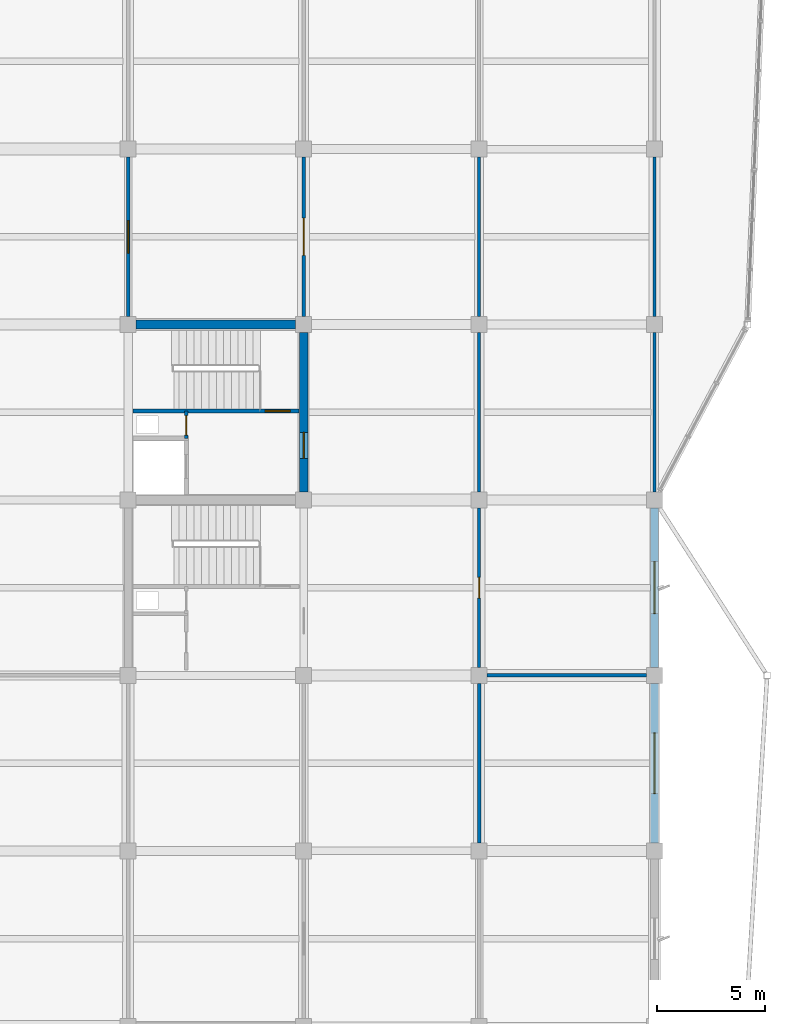
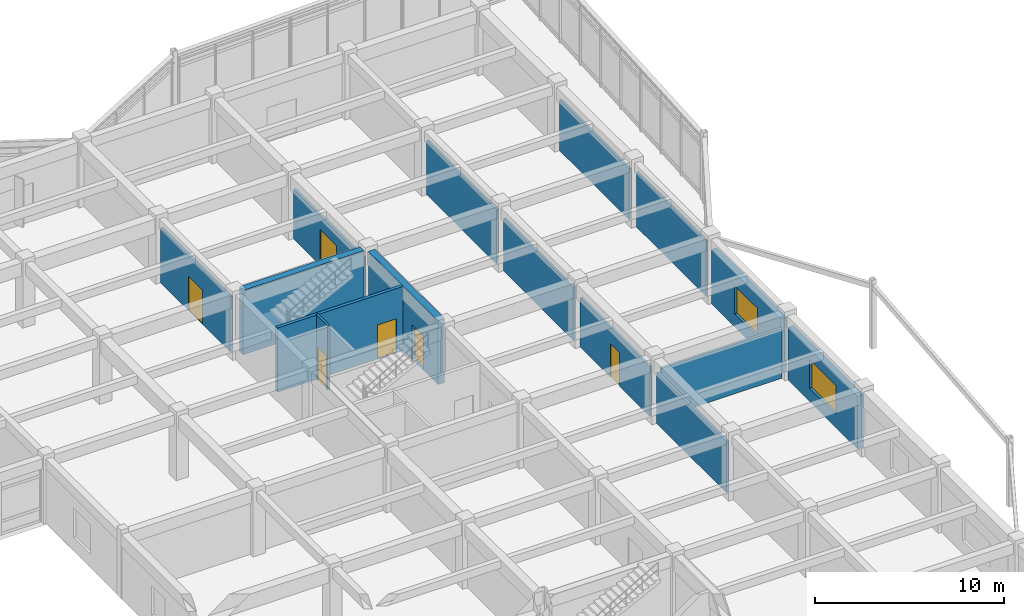
# One storey, part 72 of 89: 15 walls, 6 doors, 2 windows, 8 openings.
"""IFC4 building model written with IfcOpenShell, lengths in metres."""

import ifcopenshell
import ifcopenshell.guid

model = None  # the IFC model being written
_history = None  # IfcOwnerHistory: only IFC2X3 demands one
_inside = {}  # id of a spatial element -> (the spatial element, [elements in it])
_under = {}  # id of a project, library or spatial element -> (it, [spatial elements below it])
_declared = {}  # id of a project -> (the project, [libraries it declares])
_typed = {}  # id of a type object -> (the type object, [elements of that type])
_made_of = {}  # id of a material, layer set ... -> (it, [elements and type objects made of it])


def new_model(schema):
    """Start an empty IFC model of exactly this schema.

    Asked for "IFC4X3", IfcOpenShell would pick the latest addendum, in which some entities
    have other attributes; the version numbers below select the first issue.
    IFC2X3 requires an IfcOwnerHistory on every rooted entity: one is made here for all.
    """
    global model, _history
    if schema == "IFC4X3":
        model = ifcopenshell.file(schema_version=(4, 3, 0, 0))
    else:
        model = ifcopenshell.file(schema=schema)
    _inside.clear()
    _under.clear()
    _declared.clear()
    _typed.clear()
    _made_of.clear()
    _history = None
    if model.schema == "IFC2X3":
        org = make("IfcOrganization", Name="unknown")
        user = make(
            "IfcPersonAndOrganization",
            ThePerson=make("IfcPerson", FamilyName="unknown"),
            TheOrganization=org,
        )
        app = make(
            "IfcApplication",
            ApplicationDeveloper=org,
            Version="unknown",
            ApplicationFullName="unknown",
            ApplicationIdentifier="unknown",
        )
        _history = make(
            "IfcOwnerHistory",
            OwningUser=user,
            OwningApplication=app,
            ChangeAction="ADDED",
            CreationDate=0,
        )
    return model


def make(cls, **values):
    """One entity of the class cls with the attributes given. An attribute that is None is left unset."""
    return model.create_entity(
        cls, **{name: value for name, value in values.items() if value is not None}
    )


def rooted(cls, **values):
    """An entity with a GlobalId (a new one), such as an element, a storey or a relation."""
    return make(cls, GlobalId=ifcopenshell.guid.new(), OwnerHistory=_history, **values)


def si_unit(unit_type, name, prefix=None):
    """IfcSIUnit, for example si_unit("LENGTHUNIT", "METRE", prefix="MILLI")."""
    return make("IfcSIUnit", UnitType=unit_type, Prefix=prefix, Name=name)


def assignment(units):
    """IfcUnitAssignment: the units of a project."""
    return None if units is None else make("IfcUnitAssignment", Units=units)


def point(xyz):
    """IfcCartesianPoint."""
    return None if xyz is None else make("IfcCartesianPoint", Coordinates=xyz)


def direction(xyz):
    """IfcDirection."""
    return None if xyz is None else make("IfcDirection", DirectionRatios=xyz)


def frame(location, z_axis=None, x_axis=None):
    """IfcAxis2Placement3D, a coordinate frame: its origin and axes. An axis left out is left unset."""
    return make(
        "IfcAxis2Placement3D",
        Location=point(location),
        Axis=direction(z_axis),
        RefDirection=direction(x_axis),
    )


def frame_2d(location, x_axis=None):
    """IfcAxis2Placement2D, a coordinate frame in the plane: its origin and x axis."""
    return make(
        "IfcAxis2Placement2D", Location=point(location), RefDirection=direction(x_axis)
    )


def origin():
    """The frame at (0, 0, 0) with its axes left unset."""
    return frame((0.0, 0.0, 0.0))


def place(relative_to, where):
    """IfcLocalPlacement: puts the frame where relative to a parent placement (None: the world)."""
    return make(
        "IfcLocalPlacement", PlacementRelTo=relative_to, RelativePlacement=where
    )


def context(
    kind, dimensions, precision=None, world=None, true_north=None, identifier=None
):
    """IfcGeometricRepresentationContext, for example the 3D "Model" context."""
    return make(
        "IfcGeometricRepresentationContext",
        ContextIdentifier=identifier,
        ContextType=kind,
        CoordinateSpaceDimension=dimensions,
        Precision=precision,
        WorldCoordinateSystem=world,
        TrueNorth=true_north,
    )


def subcontext(parent, identifier, kind, view, scale=None):
    """IfcGeometricRepresentationSubContext, for example "Body" below "Model"."""
    return make(
        "IfcGeometricRepresentationSubContext",
        ContextIdentifier=identifier,
        ContextType=kind,
        ParentContext=parent,
        TargetScale=scale,
        TargetView=view,
    )


def project(units=None, contexts=None):
    """IfcProject with its units and contexts."""
    return rooted(
        "IfcProject",
        Name="project",
        RepresentationContexts=contexts,
        UnitsInContext=assignment(units),
    )


def spatial(cls, under=None, at=None, **own):
    """A site, building, storey or space (cls), placed at a placement, below another one or the project."""
    s = rooted(cls, ObjectPlacement=at, **own)
    if under is not None:
        _under.setdefault(under.id(), (under, []))[1].append(s)
    return s


def profile(cls, at=None, kind="AREA", **sizes):
    """A parametric profile (cls). Its sizes go by their IFC names, for example OverallWidth=200.0."""
    return make(cls, ProfileType=kind, Position=at, **sizes)


def rectangle(**sizes):
    """IfcRectangleProfileDef."""
    return profile("IfcRectangleProfileDef", **sizes)


def extrude(swept, where, along, depth):
    """IfcExtrudedAreaSolid: the profile swept, set in the frame where, extruded along a direction by depth."""
    return make(
        "IfcExtrudedAreaSolid",
        SweptArea=swept,
        Position=where,
        ExtrudedDirection=direction(along),
        Depth=depth,
    )


def shape(context_of_items, identifier, shape_type, items):
    """IfcShapeRepresentation: the items that make up one representation, for example the "Body"."""
    return make(
        "IfcShapeRepresentation",
        ContextOfItems=context_of_items,
        RepresentationIdentifier=identifier,
        RepresentationType=shape_type,
        Items=items,
    )


def material(Name=None, Category=None):
    """IfcMaterial."""
    return make("IfcMaterial", Name=Name, Category=Category)


def layer(
    of_material, thickness, ventilated=None, Name=None, Category=None, Priority=None
):
    """IfcMaterialLayer: one layer of a wall or slab, of a material (None: an air gap)."""
    return make(
        "IfcMaterialLayer",
        Material=of_material,
        LayerThickness=thickness,
        IsVentilated=ventilated,
        Name=Name,
        Category=Category,
        Priority=Priority,
    )


def layer_set(layers, Name=None):
    """IfcMaterialLayerSet."""
    return make("IfcMaterialLayerSet", MaterialLayers=layers, LayerSetName=Name)


def made_of(thing, what):
    """Note that an element or type object is made of a material, layer set ...; save() writes the relation."""
    if what is not None:
        _made_of.setdefault(what.id(), (what, []))[1].append(thing)
    return thing


def type_object(cls, material=None, **own):
    """A type object (cls), such as IfcWallType, which elements share."""
    return made_of(rooted(cls, **own), material)


def element(
    cls,
    number,
    at=None,
    inside=None,
    cuts=None,
    type_object=None,
    material=None,
    context=None,
    identifier="Body",
    shape_type=None,
    held_by="IfcProductDefinitionShape",
    body=None,
    shapes=None,
    **own,
):
    """One element of the class cls, such as IfcWall. Its Tag is "e" and its number.

    at: its placement. inside: the storey or other place that contains it. cuts: it is an
    opening in that element (IfcRelVoidsElement). A single representation is given by context,
    identifier, shape_type and body (its items); several are given by shapes. held_by: the class
    of the entity that holds the representations. save() writes the other relations.
    """
    e = rooted(cls, Tag="e%d" % number, ObjectPlacement=at, **own)
    if body is not None:
        shapes = [shape(context, identifier, shape_type, body)]
    if shapes is not None:
        e.Representation = make(held_by, Representations=shapes)
    if inside is not None:
        _inside.setdefault(inside.id(), (inside, []))[1].append(e)
    if cuts is not None:
        rooted(
            "IfcRelVoidsElement", RelatingBuildingElement=cuts, RelatedOpeningElement=e
        )
    if type_object is not None:
        _typed.setdefault(type_object.id(), (type_object, []))[1].append(e)
    return made_of(e, material)


def fill(opening, filler):
    """IfcRelFillsElement: the door or window that sits in an opening."""
    return rooted(
        "IfcRelFillsElement",
        RelatingOpeningElement=opening,
        RelatedBuildingElement=filler,
    )


def aggregate(whole, parts):
    """IfcRelAggregates: a whole, such as a stair, and the parts it consists of."""
    return rooted("IfcRelAggregates", RelatingObject=whole, RelatedObjects=parts)


def save(model, path):
    """Write the relations noted so far, then the file.

    IfcRelAggregates (storeys below a building ...), IfcRelContainedInSpatialStructure (elements
    in a storey), IfcRelDefinesByType, IfcRelAssociatesMaterial and IfcRelDeclares: one each for
    every whole, place, type object, material and project.
    """
    for whole, parts in _under.values():
        aggregate(whole, parts)
    for where, things in _inside.values():
        rooted(
            "IfcRelContainedInSpatialStructure",
            RelatedElements=things,
            RelatingStructure=where,
        )
    for kind, things in _typed.values():
        rooted("IfcRelDefinesByType", RelatedObjects=things, RelatingType=kind)
    for what, things in _made_of.values():
        rooted("IfcRelAssociatesMaterial", RelatedObjects=things, RelatingMaterial=what)
    for by, libraries in _declared.values():
        rooted("IfcRelDeclares", RelatingContext=by, RelatedDefinitions=libraries)
    model.write(path)


model = new_model("IFC4")

# Units and contexts
model_context = context("Model", 3, precision=1e-05, world=origin(), true_north=direction((0.0, 1.0)))
body_context = subcontext(model_context, "Body", "Model", "MODEL_VIEW")
ifc_project = project(units=[si_unit("LENGTHUNIT", "METRE"), si_unit("AREAUNIT", "SQUARE_METRE"), si_unit("VOLUMEUNIT", "CUBIC_METRE"), si_unit("PLANEANGLEUNIT", "RADIAN"), si_unit("MASSUNIT", "GRAM", prefix="KILO")], contexts=[model_context])

# Site, building, storey
site_placement = place(None, origin())
site = spatial("IfcSite", under=ifc_project, at=site_placement, CompositionType="ELEMENT")
building_placement = place(site_placement, origin())
building = spatial("IfcBuilding", under=site, at=building_placement, Name="Vaudrelin Polytechnic", CompositionType="ELEMENT")
storey_placement = place(building_placement, frame((0.0, 0.0, 9.68994140625)))
storey = spatial("IfcBuildingStorey", under=building, at=storey_placement, Name="L02", CompositionType="ELEMENT", Elevation=9.68994140625)

# Wall, opening, window
ifc_material_1 = material(Name="Precast concrete 35 MPa with terracotta baguette screen", Category="masonry")
ifc_layer_1 = layer(ifc_material_1, 0.35009765625)
ifc_layer_set_1 = layer_set([ifc_layer_1], Name="Precast concrete 35 MPa with terracotta baguette screen")
wall_type_1 = type_object("IfcWallType", Name="WAL-EW-TERR350", PredefinedType="STANDARD", material=ifc_layer_set_1)
wall_1_placement = place(storey_placement, frame((170.10009765625, 81.373046875, 0.0), z_axis=(0.0, 0.0, 1.0), x_axis=(0.0, 1.0, 0.0)))
wall_1 = element("IfcWall", 1, at=wall_1_placement, inside=storey, type_object=wall_type_1, Name="Exterior wall L02 E_V4_08", PredefinedType="STANDARD", context=body_context, shape_type="SweptSolid", body=[
    extrude(rectangle(XDim=7.35400390625, YDim=0.35009765625, at=frame_2d((3.677001953125, 0.0))), origin(), (0.0, 0.0, 1.0), 3.39208984375),
])
opening_1_placement = place(wall_1_placement, frame((2.277099609375, 0.0, 0.85009765625)))
opening_1 = element("IfcOpeningElement", 2, at=opening_1_placement, cuts=wall_1, Name="Opening W-L02-E-V4-09", PredefinedType="OPENING", context=body_context, shape_type="SweptSolid", body=[
    extrude(rectangle(XDim=2.800048828125, YDim=1.85009765625, at=frame_2d((1.39990234375, 0.925048828125))), frame((0.0, 0.18505859375, 0.0), z_axis=(0.0, -1.0, 0.0), x_axis=(1.0, 0.0, 0.0)), (0.0, 0.0, 1.0), 0.3701171875),
])
ifc_material_2 = material(Name="Thermally broken aluminium frame with triple low-e glazing", Category="aluminium")
window_type_1 = type_object("IfcWindowType", Name="WIN-WN-48", PartitioningType="SINGLE_PANEL", PredefinedType="WINDOW", material=ifc_material_2)
window_1_placement = place(opening_1_placement, origin())
window_1 = element("IfcWindow", 3, at=window_1_placement, inside=storey, type_object=window_type_1, Name="Facade window L02-E_V4_08", OverallHeight=1.85009765625, OverallWidth=2.800048828125, PartitioningType="SINGLE_PANEL", PredefinedType="WINDOW", context=body_context, shape_type="SweptSolid", body=[
    extrude(rectangle(XDim=2.800048828125, YDim=1.85009765625, at=frame_2d((1.39990234375, 0.925048828125))), frame((0.0, 0.030029296875, 0.0), z_axis=(0.0, -1.0, 0.0), x_axis=(1.0, 0.0, 0.0)), (0.0, 0.0, 1.0), 0.06005859375),
])
fill(opening_1, window_1)

wall_2_placement = place(storey_placement, frame((170.10009765625, 89.472900390625, 0.0), z_axis=(0.0, 0.0, 1.0), x_axis=(0.0, 1.0, 0.0)))
wall_2 = element("IfcWall", 4, at=wall_2_placement, inside=storey, type_object=wall_type_1, Name="Exterior wall L02 E_V4_09", PredefinedType="STANDARD", context=body_context, shape_type="SweptSolid", body=[
    extrude(rectangle(XDim=7.35400390625, YDim=0.35009765625, at=frame_2d((3.677001953125, 0.0))), origin(), (0.0, 0.0, 1.0), 3.491943359375),
])
opening_2_placement = place(wall_2_placement, frame((2.47705078125, 0.0, 0.85009765625)))
opening_2 = element("IfcOpeningElement", 5, at=opening_2_placement, cuts=wall_2, Name="Opening W-L02-E-V4-10", PredefinedType="OPENING", context=body_context, shape_type="SweptSolid", body=[
    extrude(rectangle(XDim=2.39990234375, YDim=1.800048828125, at=frame_2d((1.199951171875, 0.89990234375))), frame((0.0, 0.18505859375, 0.0), z_axis=(0.0, -1.0, 0.0), x_axis=(1.0, 0.0, 0.0)), (0.0, 0.0, 1.0), 0.3701171875),
])
window_type_2 = type_object("IfcWindowType", Name="WIN-WN-01", PartitioningType="SINGLE_PANEL", PredefinedType="WINDOW", material=ifc_material_2)
window_2_placement = place(opening_2_placement, origin())
window_2 = element("IfcWindow", 6, at=window_2_placement, inside=storey, type_object=window_type_2, Name="Facade window L02-E_V4_09", OverallHeight=1.800048828125, OverallWidth=2.39990234375, PartitioningType="SINGLE_PANEL", PredefinedType="WINDOW", context=body_context, shape_type="SweptSolid", body=[
    extrude(rectangle(XDim=2.39990234375, YDim=1.800048828125, at=frame_2d((1.199951171875, 0.89990234375))), frame((0.0, 0.030029296875, 0.0), z_axis=(0.0, -1.0, 0.0), x_axis=(1.0, 0.0, 0.0)), (0.0, 0.0, 1.0), 0.06005859375),
])
fill(opening_2, window_2)

# Wall, opening, door
ifc_material_3 = material(Name="Fire-rated steel-stud gypsum compartment wall", Category="steel")
ifc_layer_2 = layer(ifc_material_3, 0.14990234375)
ifc_layer_set_2 = layer_set([ifc_layer_2], Name="Fire-rated steel-stud gypsum compartment wall")
wall_type_2 = type_object("IfcWallType", Name="WAL-PW-FIRE60", PredefinedType="PARTITIONING", material=ifc_layer_set_2)
wall_3_placement = place(storey_placement, frame((148.47998046875, 100.050048828125, 0.0), z_axis=(0.0, 0.0, 1.0), x_axis=(0.0, 1.0, 0.0)))
wall_3 = element("IfcWall", 7, at=wall_3_placement, inside=storey, type_object=wall_type_2, Name="Core C6 riser enclosure wall L02", PredefinedType="PARTITIONING", context=body_context, shape_type="SweptSolid", body=[
    extrude(rectangle(XDim=1.260009765625, YDim=0.14990234375, at=frame_2d((0.6298828125, 0.0))), origin(), (0.0, 0.0, 1.0), 4.14208984375),
])
opening_3_placement = place(wall_3_placement, frame((0.139892578125, 0.0, 0.0)))
opening_3 = element("IfcOpeningElement", 8, at=opening_3_placement, cuts=wall_3, Name="Opening D-L02-095", PredefinedType="OPENING", context=body_context, shape_type="SweptSolid", body=[
    extrude(rectangle(XDim=0.89990234375, YDim=2.14990234375, at=frame_2d((0.449951171875, 1.074951171875))), frame((0.0, 0.0849609375, 0.0), z_axis=(0.0, -1.0, 0.0), x_axis=(1.0, 0.0, 0.0)), (0.0, 0.0, 1.0), 0.169921875),
])
ifc_material_4 = material(Name="Pressed galvanised steel acoustic leaf", Category="steel")
door_type_1 = type_object("IfcDoorType", Name="DOR-ID-RSR1", OperationType="NOTDEFINED", PredefinedType="DOOR", material=ifc_material_4)
door_1_placement = place(opening_3_placement, origin())
door_1 = element("IfcDoor", 9, at=door_1_placement, inside=storey, type_object=door_type_1, Name="Core C6 riser access door L02", OperationType="SINGLE_SWING_RIGHT", OverallHeight=2.14990234375, OverallWidth=0.89990234375, PredefinedType="DOOR", context=body_context, shape_type="SweptSolid", body=[
    extrude(rectangle(XDim=0.89990234375, YDim=2.14990234375, at=frame_2d((0.449951171875, 1.074951171875))), frame((0.0, 0.02490234375, 0.0), z_axis=(0.0, -1.0, 0.0), x_axis=(1.0, 0.0, 0.0)), (0.0, 0.0, 1.0), 0.050048828125),
])
fill(opening_3, door_1)

ifc_material_5 = material(Name="Moisture- and chemical-resistant laboratory partition", Category="gypsum")
ifc_layer_3 = layer(ifc_material_5, 0.159912109375)
ifc_layer_set_3 = layer_set([ifc_layer_3], Name="Moisture- and chemical-resistant laboratory partition")
wall_type_3 = type_object("IfcWallType", Name="WAL-PW-LAB160", PredefinedType="PARTITIONING", material=ifc_layer_set_3)
wall_4_placement = place(storey_placement, frame((145.800048828125, 105.673095703125, 0.0), z_axis=(0.0, 0.0, 1.0), x_axis=(0.0, 1.0, 0.0)))
wall_4 = element("IfcWall", 10, at=wall_4_placement, inside=storey, type_object=wall_type_3, Name="Partition L02-018 E", PredefinedType="PARTITIONING", context=body_context, shape_type="SweptSolid", body=[
    extrude(rectangle(XDim=7.35400390625, YDim=0.159912109375, at=frame_2d((3.677001953125, 0.0))), origin(), (0.0, 0.0, 1.0), 3.5419921875),
])
opening_4_placement = place(wall_4_placement, frame((2.927001953125, 0.0, 0.0)))
opening_4 = element("IfcOpeningElement", 11, at=opening_4_placement, cuts=wall_4, Name="Opening D-L02-484", PredefinedType="OPENING", context=body_context, shape_type="SweptSolid", body=[
    extrude(rectangle(XDim=1.5, YDim=2.199951171875, at=frame_2d((0.75, 1.10009765625))), frame((0.0, 0.08984375, 0.0), z_axis=(0.0, -1.0, 0.0), x_axis=(1.0, 0.0, 0.0)), (0.0, 0.0, 1.0), 0.179931640625),
])
door_type_2 = type_object("IfcDoorType", Name="DOR-ID-LAB1", OperationType="NOTDEFINED", PredefinedType="DOOR", material=ifc_material_4)
door_2_placement = place(opening_4_placement, origin())
door_2 = element("IfcDoor", 12, at=door_2_placement, inside=storey, type_object=door_type_2, Name="Electrochemistry Teaching Laboratory door L02-018", OperationType="DOUBLE_SWING_LEFT", OverallHeight=2.199951171875, OverallWidth=1.5, PredefinedType="DOOR", context=body_context, shape_type="SweptSolid", body=[
    extrude(rectangle(XDim=1.5, YDim=2.199951171875, at=frame_2d((0.75, 1.10009765625))), frame((0.0, 0.02490234375, 0.0), z_axis=(0.0, -1.0, 0.0), x_axis=(1.0, 0.0, 0.0)), (0.0, 0.0, 1.0), 0.050048828125),
])
fill(opening_4, door_2)

wall_5_placement = place(storey_placement, frame((153.89990234375, 105.673095703125, 0.0), z_axis=(0.0, 0.0, 1.0), x_axis=(0.0, 1.0, 0.0)))
wall_5 = element("IfcWall", 13, at=wall_5_placement, inside=storey, type_object=wall_type_3, Name="Partition L02-019 E", PredefinedType="PARTITIONING", context=body_context, shape_type="SweptSolid", body=[
    extrude(rectangle(XDim=7.35400390625, YDim=0.159912109375, at=frame_2d((3.677001953125, 0.0))), origin(), (0.0, 0.0, 1.0), 3.192138671875),
])
opening_5_placement = place(wall_5_placement, frame((2.81689453125, 0.0, 0.0)))
opening_5 = element("IfcOpeningElement", 14, at=opening_5_placement, cuts=wall_5, Name="Opening D-L02-485", PredefinedType="OPENING", context=body_context, shape_type="SweptSolid", body=[
    extrude(rectangle(XDim=1.719970703125, YDim=2.300048828125, at=frame_2d((0.85986328125, 1.14990234375))), frame((0.0, 0.08984375, 0.0), z_axis=(0.0, -1.0, 0.0), x_axis=(1.0, 0.0, 0.0)), (0.0, 0.0, 1.0), 0.179931640625),
])
door_type_3 = type_object("IfcDoorType", Name="DOR-ID-LAB5", OperationType="NOTDEFINED", PredefinedType="DOOR", material=ifc_material_4)
door_3_placement = place(opening_5_placement, origin())
door_3 = element("IfcDoor", 15, at=door_3_placement, inside=storey, type_object=door_type_3, Name="Battery Cell Cycling Laboratory door L02-019", OperationType="DOUBLE_SWING_LEFT", OverallHeight=2.300048828125, OverallWidth=1.719970703125, PredefinedType="DOOR", context=body_context, shape_type="SweptSolid", body=[
    extrude(rectangle(XDim=1.719970703125, YDim=2.300048828125, at=frame_2d((0.85986328125, 1.14990234375))), frame((0.0, 0.02490234375, 0.0), z_axis=(0.0, -1.0, 0.0), x_axis=(1.0, 0.0, 0.0)), (0.0, 0.0, 1.0), 0.050048828125),
])
fill(opening_5, door_3)

# Walls
wall_6_placement = place(storey_placement, frame((162.0, 81.373046875, 0.0), z_axis=(0.0, 0.0, 1.0), x_axis=(0.0, 1.0, 0.0)))
element("IfcWall", 16, at=wall_6_placement, inside=storey, type_object=wall_type_3, Name="Partition L02-022 W", PredefinedType="PARTITIONING", context=body_context, shape_type="SweptSolid", body=[
    extrude(rectangle(XDim=7.35400390625, YDim=0.159912109375, at=frame_2d((3.677001953125, 0.0))), origin(), (0.0, 0.0, 1.0), 3.2919921875),
])
wall_7_placement = place(storey_placement, frame((162.373046875, 89.10009765625, 0.0), z_axis=(0.0, 0.0, 1.0), x_axis=(1.0, 0.0, 0.0)))
element("IfcWall", 17, at=wall_7_placement, inside=storey, type_object=wall_type_3, Name="Partition L02-022 N", PredefinedType="PARTITIONING", context=body_context, shape_type="SweptSolid", body=[
    extrude(rectangle(XDim=7.35400390625, YDim=0.159912109375, at=frame_2d((3.677001953125, 0.0))), origin(), (0.0, 0.0, 1.0), 3.192138671875),
])

# Wall, opening, door
ifc_material_6 = material(Name="Acoustic steel-stud office & study room partition", Category="steel")
ifc_layer_4 = layer(ifc_material_6, 0.135009765625)
ifc_layer_set_4 = layer_set([ifc_layer_4], Name="Acoustic steel-stud office & study room partition")
wall_type_4 = type_object("IfcWallType", Name="WAL-PW-OFF135", PredefinedType="PARTITIONING", material=ifc_layer_set_4)
wall_8_placement = place(storey_placement, frame((162.0, 89.472900390625, 0.0), z_axis=(0.0, 0.0, 1.0), x_axis=(0.0, 1.0, 0.0)))
wall_8 = element("IfcWall", 18, at=wall_8_placement, inside=storey, type_object=wall_type_4, Name="Partition L02-023 W", PredefinedType="PARTITIONING", context=body_context, shape_type="SweptSolid", body=[
    extrude(rectangle(XDim=7.35400390625, YDim=0.135009765625, at=frame_2d((3.677001953125, 0.0))), origin(), (0.0, 0.0, 1.0), 3.192138671875),
])
opening_6_placement = place(wall_8_placement, frame((3.197021484375, 0.0, 0.0)))
opening_6 = element("IfcOpeningElement", 19, at=opening_6_placement, cuts=wall_8, Name="Opening D-L02-488", PredefinedType="OPENING", context=body_context, shape_type="SweptSolid", body=[
    extrude(rectangle(XDim=0.9599609375, YDim=2.14990234375, at=frame_2d((0.47998046875, 1.074951171875))), frame((0.0, 0.07763671875, 0.0), z_axis=(0.0, -1.0, 0.0), x_axis=(1.0, 0.0, 0.0)), (0.0, 0.0, 1.0), 0.155029296875),
])
ifc_material_7 = material(Name="Solid-core birch veneer acoustic leaf", Category="wood")
door_type_4 = type_object("IfcDoorType", Name="DOR-ID-OFF2", OperationType="NOTDEFINED", PredefinedType="DOOR", material=ifc_material_7)
door_4_placement = place(opening_6_placement, origin())
door_4 = element("IfcDoor", 20, at=door_4_placement, inside=storey, type_object=door_type_4, Name="Academic Faculty Offices Level 2 door L02-023", OperationType="SINGLE_SWING_RIGHT", OverallHeight=2.14990234375, OverallWidth=0.9599609375, PredefinedType="DOOR", context=body_context, shape_type="SweptSolid", body=[
    extrude(rectangle(XDim=0.9599609375, YDim=2.14990234375, at=frame_2d((0.47998046875, 1.074951171875))), frame((0.0, 0.02490234375, 0.0), z_axis=(0.0, -1.0, 0.0), x_axis=(1.0, 0.0, 0.0)), (0.0, 0.0, 1.0), 0.050048828125),
])
fill(opening_6, door_4)

# Walls
wall_9_placement = place(storey_placement, frame((162.0, 97.572998046875, 0.0), z_axis=(0.0, 0.0, 1.0), x_axis=(0.0, 1.0, 0.0)))
element("IfcWall", 21, at=wall_9_placement, inside=storey, type_object=wall_type_4, Name="Partition L02-023 W", PredefinedType="PARTITIONING", context=body_context, shape_type="SweptSolid", body=[
    extrude(rectangle(XDim=7.35400390625, YDim=0.135009765625, at=frame_2d((3.677001953125, 0.0))), origin(), (0.0, 0.0, 1.0), 3.39208984375),
])
wall_10_placement = place(storey_placement, frame((162.0, 105.673095703125, 0.0), z_axis=(0.0, 0.0, 1.0), x_axis=(0.0, 1.0, 0.0)))
element("IfcWall", 22, at=wall_10_placement, inside=storey, type_object=wall_type_4, Name="Partition L02-023 W", PredefinedType="PARTITIONING", context=body_context, shape_type="SweptSolid", body=[
    extrude(rectangle(XDim=7.35400390625, YDim=0.135009765625, at=frame_2d((3.677001953125, 0.0))), origin(), (0.0, 0.0, 1.0), 3.491943359375),
])
wall_11_placement = place(storey_placement, frame((170.10009765625, 97.572998046875, 0.0), z_axis=(0.0, 0.0, 1.0), x_axis=(0.0, 1.0, 0.0)))
element("IfcWall", 23, at=wall_11_placement, inside=storey, type_object=wall_type_4, Name="Partition L02-023 E", PredefinedType="PARTITIONING", context=body_context, shape_type="SweptSolid", body=[
    extrude(rectangle(XDim=7.35400390625, YDim=0.135009765625, at=frame_2d((3.677001953125, 0.0))), origin(), (0.0, 0.0, 1.0), 3.5419921875),
])
wall_12_placement = place(storey_placement, frame((170.10009765625, 105.673095703125, 0.0), z_axis=(0.0, 0.0, 1.0), x_axis=(0.0, 1.0, 0.0)))
element("IfcWall", 24, at=wall_12_placement, inside=storey, type_object=wall_type_4, Name="Partition L02-023 E", PredefinedType="PARTITIONING", context=body_context, shape_type="SweptSolid", body=[
    extrude(rectangle(XDim=7.35400390625, YDim=0.135009765625, at=frame_2d((3.677001953125, 0.0))), origin(), (0.0, 0.0, 1.0), 3.2919921875),
])

# Wall, opening, door
ifc_material_8 = material(Name="Concrete 40 MPa", Category="concrete")
ifc_layer_5 = layer(ifc_material_8, 0.199951171875)
ifc_layer_set_5 = layer_set([ifc_layer_5], Name="Concrete 40 MPa")
wall_type_5 = type_object("IfcWallType", Name="WAL-SW-CORE200", PredefinedType="SHEAR", material=ifc_layer_set_5)
wall_13_placement = place(storey_placement, frame((146.02001953125, 101.31005859375, 0.0), z_axis=(0.0, 0.0, 1.0), x_axis=(1.0, 0.0, 0.0)))
wall_13 = element("IfcWall", 25, at=wall_13_placement, inside=storey, type_object=wall_type_5, Name="Core C6 stair enclosure wall L02", PredefinedType="SHEAR", context=body_context, shape_type="SweptSolid", body=[
    extrude(rectangle(XDim=7.659912109375, YDim=0.199951171875, at=frame_2d((3.830078125, 0.0))), origin(), (0.0, 0.0, 1.0), 4.14208984375),
])
opening_7_placement = place(wall_13_placement, frame((6.110107421875, 0.0, 0.0)))
opening_7 = element("IfcOpeningElement", 26, at=opening_7_placement, cuts=wall_13, Name="Opening D-L02-094", PredefinedType="OPENING", context=body_context, shape_type="SweptSolid", body=[
    extrude(rectangle(XDim=1.14990234375, YDim=2.199951171875, at=frame_2d((0.574951171875, 1.10009765625))), frame((0.0, 0.10986328125, 0.0), z_axis=(0.0, -1.0, 0.0), x_axis=(1.0, 0.0, 0.0)), (0.0, 0.0, 1.0), 0.219970703125),
])
door_type_5 = type_object("IfcDoorType", Name="DOR-ID-ST1", OperationType="NOTDEFINED", PredefinedType="DOOR", material=ifc_material_4)
door_5_placement = place(opening_7_placement, origin())
door_5 = element("IfcDoor", 27, at=door_5_placement, inside=storey, type_object=door_type_5, Name="Core C6 exit stair door L02", OperationType="SINGLE_SWING_LEFT", OverallHeight=2.199951171875, OverallWidth=1.14990234375, PredefinedType="DOOR", context=body_context, shape_type="SweptSolid", body=[
    extrude(rectangle(XDim=1.14990234375, YDim=2.199951171875, at=frame_2d((0.574951171875, 1.10009765625))), frame((0.0, 0.02490234375, 0.0), z_axis=(0.0, -1.0, 0.0), x_axis=(1.0, 0.0, 0.0)), (0.0, 0.0, 1.0), 0.050048828125),
])
fill(opening_7, door_5)

# Wall
ifc_material_9 = material(Name="Concrete 50 MPa", Category="concrete")
ifc_layer_6 = layer(ifc_material_9, 0.39990234375)
ifc_layer_set_6 = layer_set([ifc_layer_6], Name="Concrete 50 MPa")
wall_type_6 = type_object("IfcWallType", Name="WAL-SW-CORE400", PredefinedType="SHEAR", material=ifc_layer_set_6)
wall_14_placement = place(storey_placement, frame((146.173095703125, 105.300048828125, 0.0), z_axis=(0.0, 0.0, 1.0), x_axis=(1.0, 0.0, 0.0)))
element("IfcWall", 28, at=wall_14_placement, inside=storey, type_object=wall_type_6, Name="Core C6 N shear wall L02", PredefinedType="SHEAR", context=body_context, shape_type="SweptSolid", body=[
    extrude(rectangle(XDim=7.35400390625, YDim=0.39990234375, at=frame_2d((3.677001953125, 0.0))), origin(), (0.0, 0.0, 1.0), 4.14208984375),
])

# Wall, opening, door
wall_15_placement = place(storey_placement, frame((153.89990234375, 97.572998046875, 0.0), z_axis=(0.0, 0.0, 1.0), x_axis=(0.0, 1.0, 0.0)))
wall_15 = element("IfcWall", 29, at=wall_15_placement, inside=storey, type_object=wall_type_6, Name="Core C6 E shear wall L02", PredefinedType="SHEAR", context=body_context, shape_type="SweptSolid", body=[
    extrude(rectangle(XDim=7.35400390625, YDim=0.39990234375, at=frame_2d((3.677001953125, 0.0))), origin(), (0.0, 0.0, 1.0), 4.14208984375),
])
opening_8_placement = place(wall_15_placement, frame((1.550048828125, 0.0, 0.0)))
opening_8 = element("IfcOpeningElement", 30, at=opening_8_placement, cuts=wall_15, Name="Opening D-L02-093", PredefinedType="OPENING", context=body_context, shape_type="SweptSolid", body=[
    extrude(rectangle(XDim=1.199951171875, YDim=2.199951171875, at=frame_2d((0.60009765625, 1.10009765625))), frame((0.0, 0.2099609375, 0.0), z_axis=(0.0, -1.0, 0.0), x_axis=(1.0, 0.0, 0.0)), (0.0, 0.0, 1.0), 0.419921875),
])
door_type_6 = type_object("IfcDoorType", Name="DOR-ID-LB1", OperationType="NOTDEFINED", PredefinedType="DOOR", material=ifc_material_4)
door_6_placement = place(opening_8_placement, origin())
door_6 = element("IfcDoor", 31, at=door_6_placement, inside=storey, type_object=door_type_6, Name="Core C6 lobby fire door L02", OperationType="SINGLE_SWING_RIGHT", OverallHeight=2.199951171875, OverallWidth=1.199951171875, PredefinedType="DOOR", context=body_context, shape_type="SweptSolid", body=[
    extrude(rectangle(XDim=1.199951171875, YDim=2.199951171875, at=frame_2d((0.60009765625, 1.10009765625))), frame((0.0, 0.02490234375, 0.0), z_axis=(0.0, -1.0, 0.0), x_axis=(1.0, 0.0, 0.0)), (0.0, 0.0, 1.0), 0.050048828125),
])
fill(opening_8, door_6)

save(model, "model.ifc")
